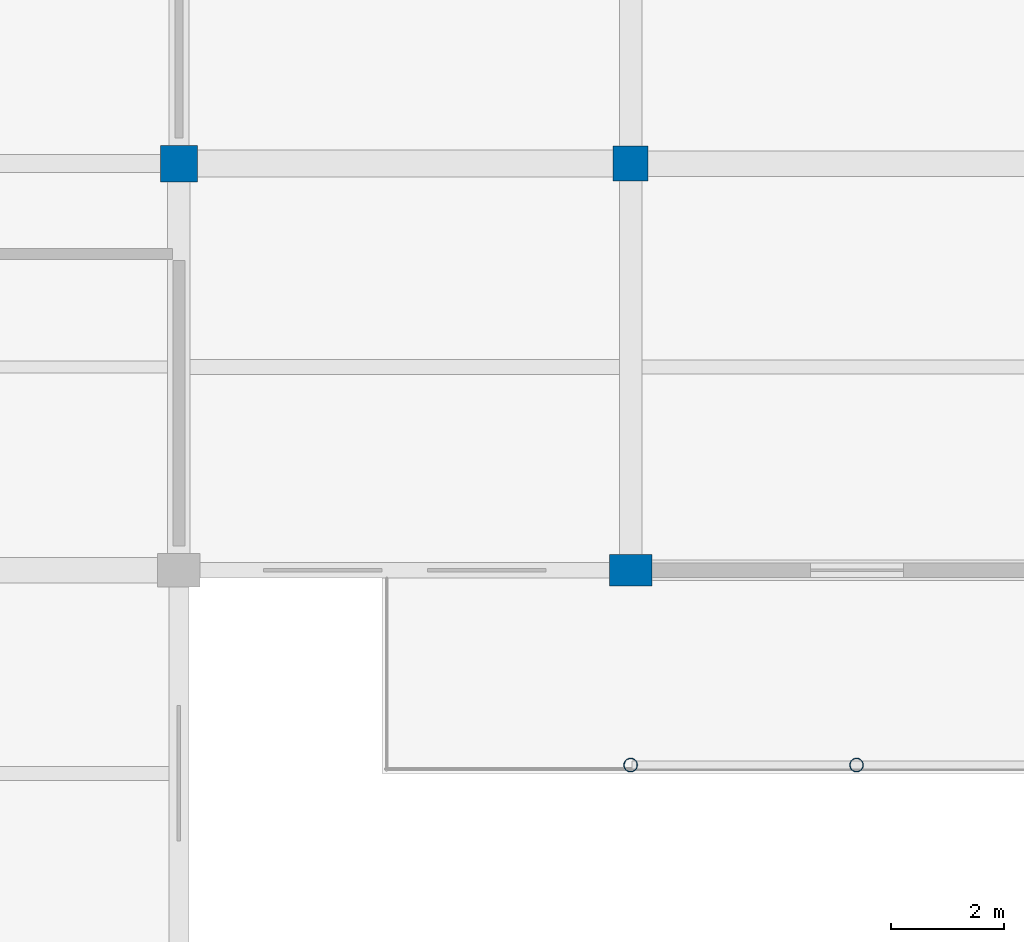
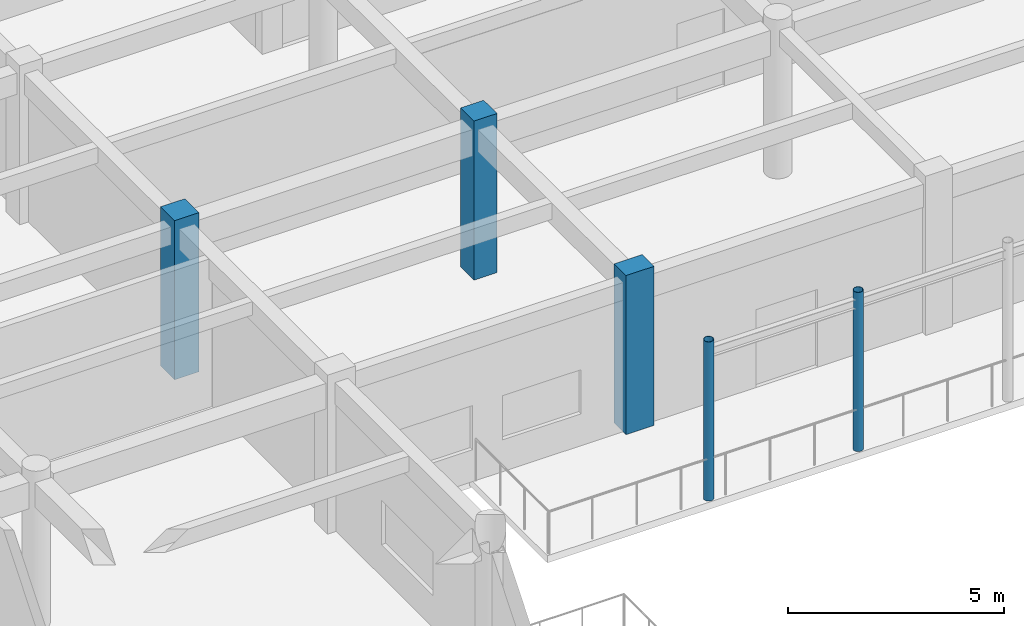
# One storey, part 18 of 160: 5 columns.
"""IFC4 building model written with IfcOpenShell, lengths in metres."""

from ifc_helpers import new_model, si_unit, direction, frame, origin, origin_2d, place, context, subcontext, project, spatial, rectangle, hollow_circle, extrude, material, material_profile, profile_set, type_object, element, save


model = new_model("IFC4")

# Units and contexts
model_context = context("Model", 3, precision=1e-05, world=origin(), true_north=direction((0.0, 1.0)))
body_context = subcontext(model_context, "Body", "Model", "MODEL_VIEW")
ifc_project = project(units=[si_unit("LENGTHUNIT", "METRE"), si_unit("AREAUNIT", "SQUARE_METRE"), si_unit("VOLUMEUNIT", "CUBIC_METRE"), si_unit("PLANEANGLEUNIT", "RADIAN"), si_unit("MASSUNIT", "GRAM", prefix="KILO")], contexts=[model_context])

# Site, building, storey
site_placement = place(None, origin())
site = spatial("IfcSite", under=ifc_project, at=site_placement, CompositionType="ELEMENT")
building_placement = place(site_placement, origin())
building = spatial("IfcBuilding", under=site, at=building_placement, Name="Kharva Crest Polytechnic", CompositionType="ELEMENT")
storey_placement = place(building_placement, frame((0.0, 0.0, 4.5)))
storey = spatial("IfcBuildingStorey", under=building, at=storey_placement, Name="L01", CompositionType="ELEMENT", Elevation=4.5)

# Columns
ifc_material_1 = material(Name="Concrete C40/50", Category="concrete")
ifc_material_profile_1 = material_profile(ifc_material_1, rectangle(XDim=0.75, YDim=0.550048828125, at=origin_2d()), Name="RECT 750 X 550")
ifc_profile_set_1 = profile_set([ifc_material_profile_1], Name="Concrete C40/50")
column_type_1 = type_object("IfcColumnType", Name="COL-EXT-750X550", PredefinedType="COLUMN", material=ifc_profile_set_1)
column_1_placement = place(storey_placement, frame((56.0, 100.39990234375, 0.0), z_axis=(0.0, 0.0, 1.0), x_axis=(1.0, 0.0, 0.0)))
element("IfcColumn", 1, at=column_1_placement, inside=storey, type_object=column_type_1, Name="L01 Column 8/P", PredefinedType="COLUMN", context=body_context, shape_type="SweptSolid", body=[
    extrude(rectangle(XDim=0.75, YDim=0.550048828125, at=origin_2d()), origin(), (0.0, 0.0, 1.0), 4.5),
])
ifc_material_profile_2 = material_profile(ifc_material_1, rectangle(XDim=0.6201171875, YDim=0.6201171875, at=origin_2d()), Name="RECT 620 X 620")
ifc_profile_set_2 = profile_set([ifc_material_profile_2], Name="Concrete C40/50")
column_type_2 = type_object("IfcColumnType", Name="COL-INT-620X620", PredefinedType="COLUMN", material=ifc_profile_set_2)
column_2_placement = place(storey_placement, frame((56.0, 107.60009765625, 0.0), z_axis=(0.0, 0.0, 1.0), x_axis=(1.0, 0.0, 0.0)))
element("IfcColumn", 2, at=column_2_placement, inside=storey, type_object=column_type_2, Name="L01 Column 8/Q", PredefinedType="COLUMN", context=body_context, shape_type="SweptSolid", body=[
    extrude(rectangle(XDim=0.6201171875, YDim=0.6201171875, at=origin_2d()), origin(), (0.0, 0.0, 1.0), 4.5),
])
ifc_material_profile_3 = material_profile(ifc_material_1, rectangle(XDim=0.64990234375, YDim=0.64990234375, at=origin_2d()), Name="RECT 650 X 650")
ifc_profile_set_3 = profile_set([ifc_material_profile_3], Name="Concrete C40/50")
column_type_3 = type_object("IfcColumnType", Name="COL-INT-650X650", PredefinedType="COLUMN", material=ifc_profile_set_3)
column_3_placement = place(storey_placement, frame((48.0, 107.60009765625, 0.0), z_axis=(0.0, 0.0, 1.0), x_axis=(1.0, 0.0, 0.0)))
element("IfcColumn", 3, at=column_3_placement, inside=storey, type_object=column_type_3, Name="L01 Column 7/Q", PredefinedType="COLUMN", context=body_context, shape_type="SweptSolid", body=[
    extrude(rectangle(XDim=0.64990234375, YDim=0.64990234375, at=origin_2d()), origin(), (0.0, 0.0, 1.0), 4.5),
])
ifc_material_2 = material(Name="Steel S355", Category="steel")
ifc_material_profile_4 = material_profile(ifc_material_2, hollow_circle(Radius=0.122314453125, WallThickness=0.010009765625, at=origin_2d()), Name="CHS 244.5X10.0")
ifc_profile_set_4 = profile_set([ifc_material_profile_4], Name="Steel S355")
column_type_4 = type_object("IfcColumnType", Name="COL-STL-CHS244", PredefinedType="COLUMN", material=ifc_profile_set_4)
for number, where, z_axis, x_axis, name in (
    (4, (56.0, 96.949951171875, 0.0), (0.0, 0.0, 1.0), (1.0, 0.0, 0.0), "L01 Colonnade Column VN01"),
    (5, (60.0, 96.949951171875, 0.0), (0.0, 0.0, 1.0), (1.0, 0.0, 0.0), "L01 Colonnade Mid Column VNM01"),
):
    element("IfcColumn", number, at=place(storey_placement, frame(where, z_axis=z_axis, x_axis=x_axis)), inside=storey, type_object=column_type_4, Name=name, PredefinedType="COLUMN", context=body_context, shape_type="SweptSolid", body=[
        extrude(hollow_circle(Radius=0.122314453125, WallThickness=0.010009765625, at=origin_2d()), origin(), (0.0, 0.0, 1.0), 4.5),
    ])

save(model, "model.ifc")
